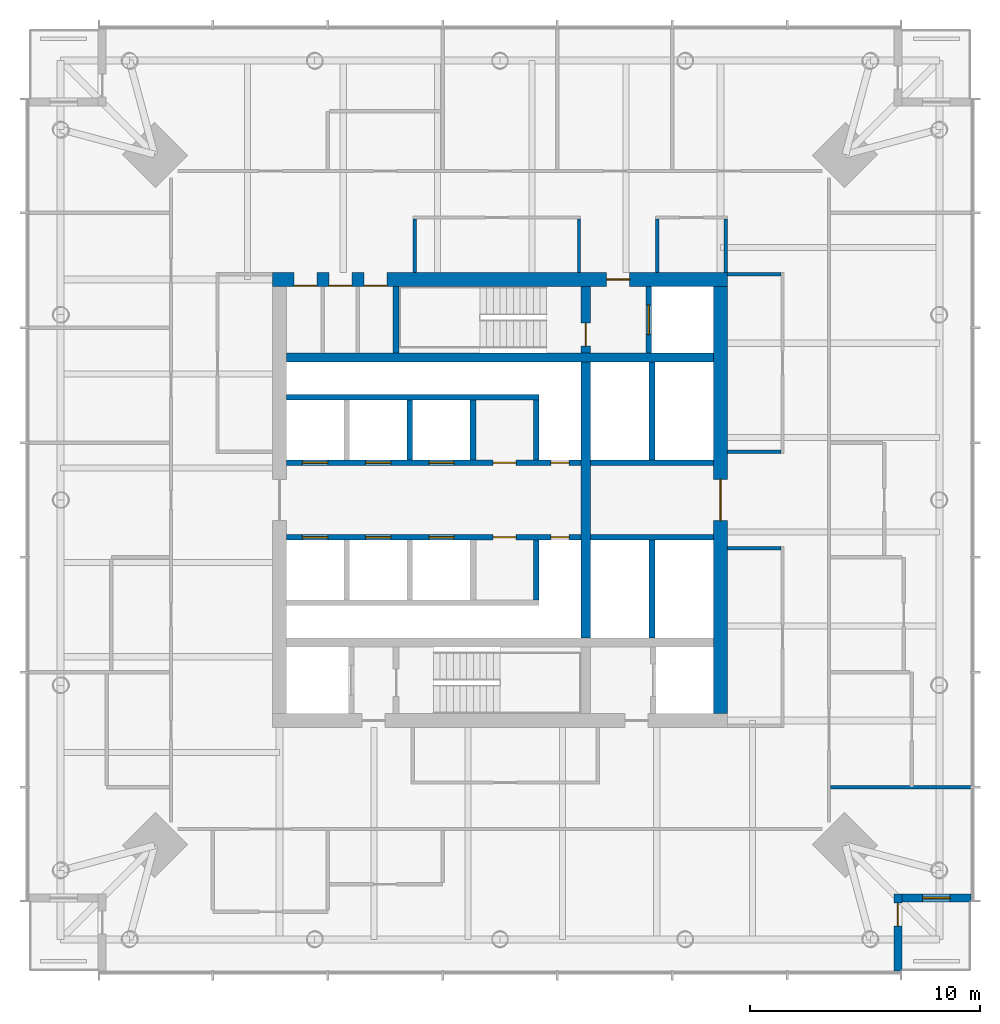
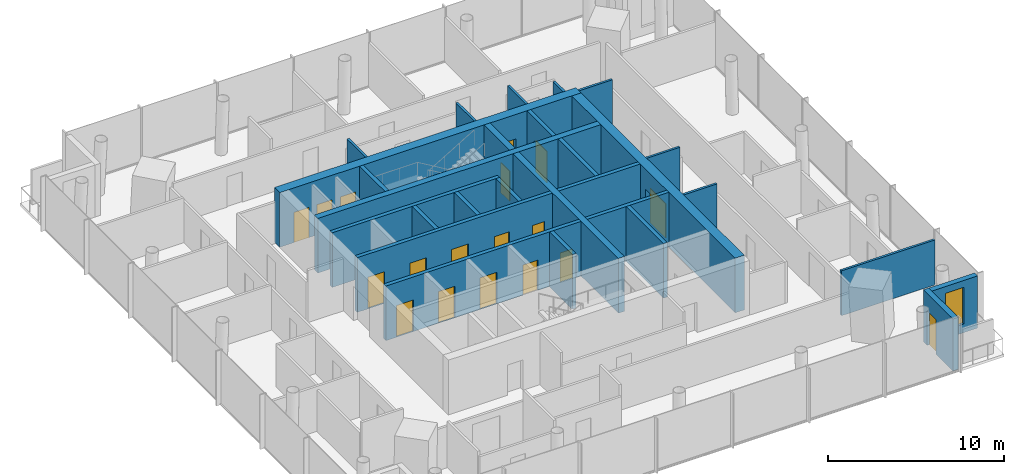
# One storey, part 5 of 8: 28 walls, 18 doors, 1 window, 19 openings.
"""IFC4 building model written with IfcOpenShell, lengths in metres."""

import ifcopenshell
import ifcopenshell.guid

model = None  # the IFC model being written
_history = None  # IfcOwnerHistory: only IFC2X3 demands one
_inside = {}  # id of a spatial element -> (the spatial element, [elements in it])
_under = {}  # id of a project, library or spatial element -> (it, [spatial elements below it])
_declared = {}  # id of a project -> (the project, [libraries it declares])
_typed = {}  # id of a type object -> (the type object, [elements of that type])
_made_of = {}  # id of a material, layer set ... -> (it, [elements and type objects made of it])


def new_model(schema):
    """Start an empty IFC model of exactly this schema.

    Asked for "IFC4X3", IfcOpenShell would pick the latest addendum, in which some entities
    have other attributes; the version numbers below select the first issue.
    IFC2X3 requires an IfcOwnerHistory on every rooted entity: one is made here for all.
    """
    global model, _history
    if schema == "IFC4X3":
        model = ifcopenshell.file(schema_version=(4, 3, 0, 0))
    else:
        model = ifcopenshell.file(schema=schema)
    _inside.clear()
    _under.clear()
    _declared.clear()
    _typed.clear()
    _made_of.clear()
    _history = None
    if model.schema == "IFC2X3":
        org = make("IfcOrganization", Name="unknown")
        user = make(
            "IfcPersonAndOrganization",
            ThePerson=make("IfcPerson", FamilyName="unknown"),
            TheOrganization=org,
        )
        app = make(
            "IfcApplication",
            ApplicationDeveloper=org,
            Version="unknown",
            ApplicationFullName="unknown",
            ApplicationIdentifier="unknown",
        )
        _history = make(
            "IfcOwnerHistory",
            OwningUser=user,
            OwningApplication=app,
            ChangeAction="ADDED",
            CreationDate=0,
        )
    return model


def make(cls, **values):
    """One entity of the class cls with the attributes given. An attribute that is None is left unset."""
    return model.create_entity(
        cls, **{name: value for name, value in values.items() if value is not None}
    )


def rooted(cls, **values):
    """An entity with a GlobalId (a new one), such as an element, a storey or a relation."""
    return make(cls, GlobalId=ifcopenshell.guid.new(), OwnerHistory=_history, **values)


def si_unit(unit_type, name, prefix=None):
    """IfcSIUnit, for example si_unit("LENGTHUNIT", "METRE", prefix="MILLI")."""
    return make("IfcSIUnit", UnitType=unit_type, Prefix=prefix, Name=name)


def assignment(units):
    """IfcUnitAssignment: the units of a project."""
    return None if units is None else make("IfcUnitAssignment", Units=units)


def point(xyz):
    """IfcCartesianPoint."""
    return None if xyz is None else make("IfcCartesianPoint", Coordinates=xyz)


def direction(xyz):
    """IfcDirection."""
    return None if xyz is None else make("IfcDirection", DirectionRatios=xyz)


def frame(location, z_axis=None, x_axis=None):
    """IfcAxis2Placement3D, a coordinate frame: its origin and axes. An axis left out is left unset."""
    return make(
        "IfcAxis2Placement3D",
        Location=point(location),
        Axis=direction(z_axis),
        RefDirection=direction(x_axis),
    )


def frame_2d(location, x_axis=None):
    """IfcAxis2Placement2D, a coordinate frame in the plane: its origin and x axis."""
    return make(
        "IfcAxis2Placement2D", Location=point(location), RefDirection=direction(x_axis)
    )


def origin():
    """The frame at (0, 0, 0) with its axes left unset."""
    return frame((0.0, 0.0, 0.0))


def place(relative_to, where):
    """IfcLocalPlacement: puts the frame where relative to a parent placement (None: the world)."""
    return make(
        "IfcLocalPlacement", PlacementRelTo=relative_to, RelativePlacement=where
    )


def context(
    kind, dimensions, precision=None, world=None, true_north=None, identifier=None
):
    """IfcGeometricRepresentationContext, for example the 3D "Model" context."""
    return make(
        "IfcGeometricRepresentationContext",
        ContextIdentifier=identifier,
        ContextType=kind,
        CoordinateSpaceDimension=dimensions,
        Precision=precision,
        WorldCoordinateSystem=world,
        TrueNorth=true_north,
    )


def subcontext(parent, identifier, kind, view, scale=None):
    """IfcGeometricRepresentationSubContext, for example "Body" below "Model"."""
    return make(
        "IfcGeometricRepresentationSubContext",
        ContextIdentifier=identifier,
        ContextType=kind,
        ParentContext=parent,
        TargetScale=scale,
        TargetView=view,
    )


def project(units=None, contexts=None):
    """IfcProject with its units and contexts."""
    return rooted(
        "IfcProject",
        Name="project",
        RepresentationContexts=contexts,
        UnitsInContext=assignment(units),
    )


def spatial(cls, under=None, at=None, **own):
    """A site, building, storey or space (cls), placed at a placement, below another one or the project."""
    s = rooted(cls, ObjectPlacement=at, **own)
    if under is not None:
        _under.setdefault(under.id(), (under, []))[1].append(s)
    return s


def profile(cls, at=None, kind="AREA", **sizes):
    """A parametric profile (cls). Its sizes go by their IFC names, for example OverallWidth=200.0."""
    return make(cls, ProfileType=kind, Position=at, **sizes)


def rectangle(**sizes):
    """IfcRectangleProfileDef."""
    return profile("IfcRectangleProfileDef", **sizes)


def extrude(swept, where, along, depth):
    """IfcExtrudedAreaSolid: the profile swept, set in the frame where, extruded along a direction by depth."""
    return make(
        "IfcExtrudedAreaSolid",
        SweptArea=swept,
        Position=where,
        ExtrudedDirection=direction(along),
        Depth=depth,
    )


def shape(context_of_items, identifier, shape_type, items):
    """IfcShapeRepresentation: the items that make up one representation, for example the "Body"."""
    return make(
        "IfcShapeRepresentation",
        ContextOfItems=context_of_items,
        RepresentationIdentifier=identifier,
        RepresentationType=shape_type,
        Items=items,
    )


def material(Name=None, Category=None):
    """IfcMaterial."""
    return make("IfcMaterial", Name=Name, Category=Category)


def layer(
    of_material, thickness, ventilated=None, Name=None, Category=None, Priority=None
):
    """IfcMaterialLayer: one layer of a wall or slab, of a material (None: an air gap)."""
    return make(
        "IfcMaterialLayer",
        Material=of_material,
        LayerThickness=thickness,
        IsVentilated=ventilated,
        Name=Name,
        Category=Category,
        Priority=Priority,
    )


def layer_set(layers, Name=None):
    """IfcMaterialLayerSet."""
    return make("IfcMaterialLayerSet", MaterialLayers=layers, LayerSetName=Name)


def made_of(thing, what):
    """Note that an element or type object is made of a material, layer set ...; save() writes the relation."""
    if what is not None:
        _made_of.setdefault(what.id(), (what, []))[1].append(thing)
    return thing


def type_object(cls, material=None, **own):
    """A type object (cls), such as IfcWallType, which elements share."""
    return made_of(rooted(cls, **own), material)


def element(
    cls,
    number,
    at=None,
    inside=None,
    cuts=None,
    type_object=None,
    material=None,
    context=None,
    identifier="Body",
    shape_type=None,
    held_by="IfcProductDefinitionShape",
    body=None,
    shapes=None,
    **own,
):
    """One element of the class cls, such as IfcWall. Its Tag is "e" and its number.

    at: its placement. inside: the storey or other place that contains it. cuts: it is an
    opening in that element (IfcRelVoidsElement). A single representation is given by context,
    identifier, shape_type and body (its items); several are given by shapes. held_by: the class
    of the entity that holds the representations. save() writes the other relations.
    """
    e = rooted(cls, Tag="e%d" % number, ObjectPlacement=at, **own)
    if body is not None:
        shapes = [shape(context, identifier, shape_type, body)]
    if shapes is not None:
        e.Representation = make(held_by, Representations=shapes)
    if inside is not None:
        _inside.setdefault(inside.id(), (inside, []))[1].append(e)
    if cuts is not None:
        rooted(
            "IfcRelVoidsElement", RelatingBuildingElement=cuts, RelatedOpeningElement=e
        )
    if type_object is not None:
        _typed.setdefault(type_object.id(), (type_object, []))[1].append(e)
    return made_of(e, material)


def fill(opening, filler):
    """IfcRelFillsElement: the door or window that sits in an opening."""
    return rooted(
        "IfcRelFillsElement",
        RelatingOpeningElement=opening,
        RelatedBuildingElement=filler,
    )


def aggregate(whole, parts):
    """IfcRelAggregates: a whole, such as a stair, and the parts it consists of."""
    return rooted("IfcRelAggregates", RelatingObject=whole, RelatedObjects=parts)


def save(model, path):
    """Write the relations noted so far, then the file.

    IfcRelAggregates (storeys below a building ...), IfcRelContainedInSpatialStructure (elements
    in a storey), IfcRelDefinesByType, IfcRelAssociatesMaterial and IfcRelDeclares: one each for
    every whole, place, type object, material and project.
    """
    for whole, parts in _under.values():
        aggregate(whole, parts)
    for where, things in _inside.values():
        rooted(
            "IfcRelContainedInSpatialStructure",
            RelatedElements=things,
            RelatingStructure=where,
        )
    for kind, things in _typed.values():
        rooted("IfcRelDefinesByType", RelatedObjects=things, RelatingType=kind)
    for what, things in _made_of.values():
        rooted("IfcRelAssociatesMaterial", RelatedObjects=things, RelatingMaterial=what)
    for by, libraries in _declared.values():
        rooted("IfcRelDeclares", RelatingContext=by, RelatedDefinitions=libraries)
    model.write(path)


model = new_model("IFC4")

# Units and contexts
model_context = context("Model", 3, precision=1e-05, world=origin(), true_north=direction((0.0, 1.0)))
body_context = subcontext(model_context, "Body", "Model", "MODEL_VIEW")
ifc_project = project(units=[si_unit("LENGTHUNIT", "METRE"), si_unit("AREAUNIT", "SQUARE_METRE"), si_unit("VOLUMEUNIT", "CUBIC_METRE"), si_unit("PLANEANGLEUNIT", "RADIAN"), si_unit("MASSUNIT", "GRAM", prefix="KILO")], contexts=[model_context])

# Site, building, storey
site_placement = place(None, origin())
site = spatial("IfcSite", under=ifc_project, at=site_placement, CompositionType="ELEMENT")
building_placement = place(site_placement, origin())
building = spatial("IfcBuilding", under=site, at=building_placement, Name="Ostroluk Exchange", CompositionType="ELEMENT")
storey_placement = place(building_placement, frame((0.0, 0.0, 173.0)))
storey = spatial("IfcBuildingStorey", under=building, at=storey_placement, Name="L44", CompositionType="ELEMENT", Elevation=173.0)

# Walls
ifc_material_1 = material(Name="Concrete C50/60", Category="concrete")
ifc_layer_1 = layer(ifc_material_1, 0.39990234375)
ifc_layer_set_1 = layer_set([ifc_layer_1], Name="Core cross wall 400 C50/60")
wall_type_1 = type_object("IfcWallType", Name="Core cross wall 400 C50/60", PredefinedType="SHEAR", material=ifc_layer_set_1)
wall_1_placement = place(storey_placement, frame((35.699951171875, 52.199951171875, 0.0), z_axis=(0.0, 0.0, 1.0), x_axis=(1.0, 0.0, 0.0)))
element("IfcWall", 1, at=wall_1_placement, inside=storey, type_object=wall_type_1, Name="T1 core wall XN", PredefinedType="SHEAR", context=body_context, shape_type="SweptSolid", body=[
    extrude(rectangle(XDim=18.60009765625, YDim=0.39990234375, at=frame_2d((9.300048828125, 0.0))), origin(), (0.0, 0.0, 1.0), 3.800048828125),
])
wall_2_placement = place(storey_placement, frame((48.72998046875, 40.0, 0.0), z_axis=(0.0, 0.0, 1.0), x_axis=(0.0, 1.0, 0.0)))
element("IfcWall", 2, at=wall_2_placement, inside=storey, type_object=wall_type_1, Name="T1 core wall YE2", PredefinedType="SHEAR", context=body_context, shape_type="SweptSolid", body=[
    extrude(rectangle(XDim=12.0, YDim=0.39990234375, at=frame_2d((6.0, 0.0))), origin(), (0.0, 0.0, 1.0), 3.800048828125),
])

# Wall, opening, door
wall_3_placement = place(storey_placement, frame((48.72998046875, 52.39990234375, 0.0), z_axis=(0.0, 0.0, 1.0), x_axis=(0.0, 1.0, 0.0)))
wall_3 = element("IfcWall", 3, at=wall_3_placement, inside=storey, type_object=wall_type_1, Name="T1 core wall YE3", PredefinedType="SHEAR", context=body_context, shape_type="SweptSolid", body=[
    extrude(rectangle(XDim=2.900146484375, YDim=0.39990234375, at=frame_2d((1.4501953125, 0.0))), origin(), (0.0, 0.0, 1.0), 3.800048828125),
])
opening_1_placement = place(wall_3_placement, frame((0.300048828125, 0.0, 0.0)))
opening_1 = element("IfcOpeningElement", 4, at=opening_1_placement, cuts=wall_3, Name="Opening FD60", PredefinedType="OPENING", context=body_context, shape_type="SweptSolid", body=[
    extrude(rectangle(XDim=1.0, YDim=2.10009765625, at=frame_2d((0.5, 1.050048828125))), frame((0.0, 0.2099609375, 0.0), z_axis=(0.0, -1.0, 0.0), x_axis=(1.0, 0.0, 0.0)), (0.0, 0.0, 1.0), 0.419921875),
])
ifc_material_2 = material(Name="Steel", Category="steel")
door_type_1 = type_object("IfcDoorType", Name="Fire door EI 60 1000 x 2100", OperationType="SINGLE_SWING_LEFT", PredefinedType="DOOR", material=ifc_material_2)
door_1_placement = place(opening_1_placement, origin())
door_1 = element("IfcDoor", 5, at=door_1_placement, inside=storey, type_object=door_type_1, Name="Stair T1-S2 door", OperationType="SINGLE_SWING_LEFT", OverallHeight=2.10009765625, OverallWidth=1.0, PredefinedType="DOOR", context=body_context, shape_type="SweptSolid", body=[
    extrude(rectangle(XDim=1.0, YDim=2.10009765625, at=frame_2d((0.5, 1.050048828125))), frame((0.0, 0.02490234375, 0.0), z_axis=(0.0, -1.0, 0.0), x_axis=(1.0, 0.0, 0.0)), (0.0, 0.0, 1.0), 0.050048828125),
])
fill(opening_1, door_1)

# Wall
ifc_material_3 = material(Name="Concrete C40/50", Category="concrete")
ifc_layer_2 = layer(ifc_material_3, 0.25)
ifc_layer_set_2 = layer_set([ifc_layer_2], Name="Core shaft wall 250")
wall_type_2 = type_object("IfcWallType", Name="Core shaft wall 250", PredefinedType="SHEAR", material=ifc_layer_set_2)
wall_4_placement = place(storey_placement, frame((40.47509765625, 52.39990234375, 0.0), z_axis=(0.0, 0.0, 1.0), x_axis=(0.0, 1.0, 0.0)))
element("IfcWall", 6, at=wall_4_placement, inside=storey, type_object=wall_type_2, Name="Stair shaft wall", PredefinedType="SHEAR", context=body_context, shape_type="SweptSolid", body=[
    extrude(rectangle(XDim=2.900146484375, YDim=0.25, at=frame_2d((1.4501953125, 0.0))), origin(), (0.0, 0.0, 1.0), 3.800048828125),
])

# Wall, opening, door
wall_5_placement = place(storey_placement, frame((51.47509765625, 52.39990234375, 0.0), z_axis=(0.0, 0.0, 1.0), x_axis=(0.0, 1.0, 0.0)))
wall_5 = element("IfcWall", 7, at=wall_5_placement, inside=storey, type_object=wall_type_2, Name="Firefighting lift shaft wall", PredefinedType="SHEAR", context=body_context, shape_type="SweptSolid", body=[
    extrude(rectangle(XDim=2.900146484375, YDim=0.25, at=frame_2d((1.4501953125, 0.0))), origin(), (0.0, 0.0, 1.0), 3.800048828125),
])
opening_2_placement = place(wall_5_placement, frame((0.800048828125, 0.0, 0.0)))
opening_2 = element("IfcOpeningElement", 8, at=opening_2_placement, cuts=wall_5, Name="Opening LD2", PredefinedType="OPENING", context=body_context, shape_type="SweptSolid", body=[
    extrude(rectangle(XDim=1.300048828125, YDim=2.199951171875, at=frame_2d((0.64990234375, 1.10009765625))), frame((0.0, 0.135009765625, 0.0), z_axis=(0.0, -1.0, 0.0), x_axis=(1.0, 0.0, 0.0)), (0.0, 0.0, 1.0), 0.27001953125),
])
ifc_material_4 = material(Name="Stainless steel", Category="steel")
door_type_2 = type_object("IfcDoorType", Name="Lift landing door E 60 1300 x 2200", OperationType="DOUBLE_DOOR_SLIDING", PredefinedType="DOOR", material=ifc_material_4)
door_2_placement = place(opening_2_placement, origin())
door_2 = element("IfcDoor", 9, at=door_2_placement, inside=storey, type_object=door_type_2, Name="Lift FL2 landing door", OperationType="DOUBLE_DOOR_SLIDING", OverallHeight=2.199951171875, OverallWidth=1.300048828125, PredefinedType="DOOR", context=body_context, shape_type="SweptSolid", body=[
    extrude(rectangle(XDim=1.300048828125, YDim=2.199951171875, at=frame_2d((0.64990234375, 1.10009765625))), frame((0.0, 0.02490234375, 0.0), z_axis=(0.0, -1.0, 0.0), x_axis=(1.0, 0.0, 0.0)), (0.0, 0.0, 1.0), 0.050048828125),
])
fill(opening_2, door_2)

# Walls
for number, where, z_axis, x_axis, name in (
    (10, (41.074951171875, 47.75, 0.0), (0.0, 0.0, 1.0), (0.0, 1.0, 0.0), "Lift shaft wall"),
    (11, (43.824951171875, 47.75, 0.0), (0.0, 0.0, 1.0), (0.0, 1.0, 0.0), "Lift shaft wall"),
    (12, (46.574951171875, 47.75, 0.0), (0.0, 0.0, 1.0), (0.0, 1.0, 0.0), "Lift shaft wall"),
):
    element("IfcWall", number, at=place(storey_placement, frame(where, z_axis=z_axis, x_axis=x_axis)), inside=storey, type_object=wall_type_2, Name=name, PredefinedType="SHEAR", context=body_context, shape_type="SweptSolid", body=[
        extrude(rectangle(XDim=2.60009765625, YDim=0.25, at=frame_2d((1.300048828125, 0.0))), origin(), (0.0, 0.0, 1.0), 3.800048828125),
    ])
wall_6_placement = place(storey_placement, frame((35.699951171875, 50.47509765625, 0.0), z_axis=(0.0, 0.0, 1.0), x_axis=(1.0, 0.0, 0.0)))
element("IfcWall", 13, at=wall_6_placement, inside=storey, type_object=wall_type_2, Name="Lift shaft wall", PredefinedType="SHEAR", context=body_context, shape_type="SweptSolid", body=[
    extrude(rectangle(XDim=11.0, YDim=0.25, at=frame_2d((5.5, 0.0))), origin(), (0.0, 0.0, 1.0), 3.800048828125),
])

# Wall, openings, doors
wall_7_placement = place(storey_placement, frame((35.699951171875, 47.625, 0.0), z_axis=(0.0, 0.0, 1.0), x_axis=(1.0, 0.0, 0.0)))
wall_7 = element("IfcWall", 14, at=wall_7_placement, inside=storey, type_object=wall_type_2, Name="Lift shaft front wall", PredefinedType="SHEAR", context=body_context, shape_type="SweptSolid", body=[
    extrude(rectangle(XDim=12.830078125, YDim=0.25, at=frame_2d((6.4150390625, 0.0))), origin(), (0.0, 0.0, 1.0), 3.800048828125),
])
opening_3_placement = place(wall_7_placement, frame((0.699951171875, 0.0, 0.0)))
opening_3 = element("IfcOpeningElement", 15, at=opening_3_placement, cuts=wall_7, Name="Opening LD", PredefinedType="OPENING", context=body_context, shape_type="SweptSolid", body=[
    extrude(rectangle(XDim=1.10009765625, YDim=2.199951171875, at=frame_2d((0.550048828125, 1.10009765625))), frame((0.0, 0.135009765625, 0.0), z_axis=(0.0, -1.0, 0.0), x_axis=(1.0, 0.0, 0.0)), (0.0, 0.0, 1.0), 0.27001953125),
])
opening_4_placement = place(wall_7_placement, frame((3.449951171875, 0.0, 0.0)))
opening_4 = element("IfcOpeningElement", 16, at=opening_4_placement, cuts=wall_7, Name="Opening LD", PredefinedType="OPENING", context=body_context, shape_type="SweptSolid", body=[
    extrude(rectangle(XDim=1.10009765625, YDim=2.199951171875, at=frame_2d((0.550048828125, 1.10009765625))), frame((0.0, 0.135009765625, 0.0), z_axis=(0.0, -1.0, 0.0), x_axis=(1.0, 0.0, 0.0)), (0.0, 0.0, 1.0), 0.27001953125),
])
opening_5_placement = place(wall_7_placement, frame((6.199951171875, 0.0, 0.0)))
opening_5 = element("IfcOpeningElement", 17, at=opening_5_placement, cuts=wall_7, Name="Opening LD", PredefinedType="OPENING", context=body_context, shape_type="SweptSolid", body=[
    extrude(rectangle(XDim=1.10009765625, YDim=2.199951171875, at=frame_2d((0.550048828125, 1.10009765625))), frame((0.0, 0.135009765625, 0.0), z_axis=(0.0, -1.0, 0.0), x_axis=(1.0, 0.0, 0.0)), (0.0, 0.0, 1.0), 0.27001953125),
])
opening_6_placement = place(wall_7_placement, frame((9.0, 0.0, 0.0)))
opening_6 = element("IfcOpeningElement", 18, at=opening_6_placement, cuts=wall_7, Name="Opening FD60", PredefinedType="OPENING", context=body_context, shape_type="SweptSolid", body=[
    extrude(rectangle(XDim=1.0, YDim=2.10009765625, at=frame_2d((0.5, 1.050048828125))), frame((0.0, 0.135009765625, 0.0), z_axis=(0.0, -1.0, 0.0), x_axis=(1.0, 0.0, 0.0)), (0.0, 0.0, 1.0), 0.27001953125),
])
opening_7_placement = place(wall_7_placement, frame((11.514892578125, 0.0, 0.0)))
opening_7 = element("IfcOpeningElement", 19, at=opening_7_placement, cuts=wall_7, Name="Opening RD60", PredefinedType="OPENING", context=body_context, shape_type="SweptSolid", body=[
    extrude(rectangle(XDim=0.800048828125, YDim=2.0, at=frame_2d((0.39990234375, 1.0))), frame((0.0, 0.135009765625, 0.0), z_axis=(0.0, -1.0, 0.0), x_axis=(1.0, 0.0, 0.0)), (0.0, 0.0, 1.0), 0.27001953125),
])
door_3_placement = place(opening_6_placement, origin())
door_3 = element("IfcDoor", 20, at=door_3_placement, inside=storey, type_object=door_type_1, Name="Core room door", OperationType="SINGLE_SWING_RIGHT", OverallHeight=2.10009765625, OverallWidth=1.0, PredefinedType="DOOR", context=body_context, shape_type="SweptSolid", body=[
    extrude(rectangle(XDim=1.0, YDim=2.10009765625, at=frame_2d((0.5, 1.050048828125))), frame((0.0, 0.02490234375, 0.0), z_axis=(0.0, -1.0, 0.0), x_axis=(1.0, 0.0, 0.0)), (0.0, 0.0, 1.0), 0.050048828125),
])
fill(opening_6, door_3)
ifc_material_5 = material(Name="Stainless steel", Category="steel")
door_type_3 = type_object("IfcDoorType", Name="Lift landing door E 60 1100 x 2200", OperationType="DOUBLE_DOOR_SLIDING", PredefinedType="DOOR", material=ifc_material_5)
door_4_placement = place(opening_3_placement, origin())
door_4 = element("IfcDoor", 21, at=door_4_placement, inside=storey, type_object=door_type_3, Name="Lift PL-H1 landing door", OperationType="DOUBLE_DOOR_SLIDING", OverallHeight=2.199951171875, OverallWidth=1.10009765625, PredefinedType="DOOR", context=body_context, shape_type="SweptSolid", body=[
    extrude(rectangle(XDim=1.10009765625, YDim=2.199951171875, at=frame_2d((0.550048828125, 1.10009765625))), frame((0.0, 0.02490234375, 0.0), z_axis=(0.0, -1.0, 0.0), x_axis=(1.0, 0.0, 0.0)), (0.0, 0.0, 1.0), 0.050048828125),
])
fill(opening_3, door_4)
door_5_placement = place(opening_4_placement, origin())
door_5 = element("IfcDoor", 22, at=door_5_placement, inside=storey, type_object=door_type_3, Name="Lift PL-H2 landing door", OperationType="DOUBLE_DOOR_SLIDING", OverallHeight=2.199951171875, OverallWidth=1.10009765625, PredefinedType="DOOR", context=body_context, shape_type="SweptSolid", body=[
    extrude(rectangle(XDim=1.10009765625, YDim=2.199951171875, at=frame_2d((0.550048828125, 1.10009765625))), frame((0.0, 0.02490234375, 0.0), z_axis=(0.0, -1.0, 0.0), x_axis=(1.0, 0.0, 0.0)), (0.0, 0.0, 1.0), 0.050048828125),
])
fill(opening_4, door_5)
door_6_placement = place(opening_5_placement, origin())
door_6 = element("IfcDoor", 23, at=door_6_placement, inside=storey, type_object=door_type_3, Name="Lift PL-H3 landing door", OperationType="DOUBLE_DOOR_SLIDING", OverallHeight=2.199951171875, OverallWidth=1.10009765625, PredefinedType="DOOR", context=body_context, shape_type="SweptSolid", body=[
    extrude(rectangle(XDim=1.10009765625, YDim=2.199951171875, at=frame_2d((0.550048828125, 1.10009765625))), frame((0.0, 0.02490234375, 0.0), z_axis=(0.0, -1.0, 0.0), x_axis=(1.0, 0.0, 0.0)), (0.0, 0.0, 1.0), 0.050048828125),
])
fill(opening_5, door_6)
ifc_material_6 = material(Name="Steel", Category="steel")
door_type_4 = type_object("IfcDoorType", Name="Riser access door EI 60 800 x 2000", OperationType="SINGLE_SWING_LEFT", PredefinedType="DOOR", material=ifc_material_6)
door_7_placement = place(opening_7_placement, origin())
door_7 = element("IfcDoor", 24, at=door_7_placement, inside=storey, type_object=door_type_4, Name="Riser access door", OperationType="SINGLE_SWING_RIGHT", OverallHeight=2.0, OverallWidth=0.800048828125, PredefinedType="DOOR", context=body_context, shape_type="SweptSolid", body=[
    extrude(rectangle(XDim=0.800048828125, YDim=2.0, at=frame_2d((0.39990234375, 1.0))), frame((0.0, 0.02490234375, 0.0), z_axis=(0.0, -1.0, 0.0), x_axis=(1.0, 0.0, 0.0)), (0.0, 0.0, 1.0), 0.050048828125),
])
fill(opening_7, door_7)

# Wall
wall_8_placement = place(storey_placement, frame((46.574951171875, 44.25, 0.0), z_axis=(0.0, 0.0, 1.0), x_axis=(0.0, -1.0, 0.0)))
element("IfcWall", 25, at=wall_8_placement, inside=storey, type_object=wall_type_2, Name="Lift shaft wall", PredefinedType="SHEAR", context=body_context, shape_type="SweptSolid", body=[
    extrude(rectangle(XDim=2.60009765625, YDim=0.25, at=frame_2d((1.300048828125, 0.0))), origin(), (0.0, 0.0, 1.0), 3.800048828125),
])

# Wall, openings, doors
wall_9_placement = place(storey_placement, frame((35.699951171875, 44.375, 0.0), z_axis=(0.0, 0.0, 1.0), x_axis=(1.0, 0.0, 0.0)))
wall_9 = element("IfcWall", 26, at=wall_9_placement, inside=storey, type_object=wall_type_2, Name="Lift shaft front wall", PredefinedType="SHEAR", context=body_context, shape_type="SweptSolid", body=[
    extrude(rectangle(XDim=12.830078125, YDim=0.25, at=frame_2d((6.4150390625, 0.0))), origin(), (0.0, 0.0, 1.0), 3.800048828125),
])
opening_8_placement = place(wall_9_placement, frame((0.699951171875, 0.0, 0.0)))
opening_8 = element("IfcOpeningElement", 27, at=opening_8_placement, cuts=wall_9, Name="Opening LD", PredefinedType="OPENING", context=body_context, shape_type="SweptSolid", body=[
    extrude(rectangle(XDim=1.10009765625, YDim=2.199951171875, at=frame_2d((0.550048828125, 1.10009765625))), frame((0.0, 0.135009765625, 0.0), z_axis=(0.0, -1.0, 0.0), x_axis=(1.0, 0.0, 0.0)), (0.0, 0.0, 1.0), 0.27001953125),
])
opening_9_placement = place(wall_9_placement, frame((3.449951171875, 0.0, 0.0)))
opening_9 = element("IfcOpeningElement", 28, at=opening_9_placement, cuts=wall_9, Name="Opening LD", PredefinedType="OPENING", context=body_context, shape_type="SweptSolid", body=[
    extrude(rectangle(XDim=1.10009765625, YDim=2.199951171875, at=frame_2d((0.550048828125, 1.10009765625))), frame((0.0, 0.135009765625, 0.0), z_axis=(0.0, -1.0, 0.0), x_axis=(1.0, 0.0, 0.0)), (0.0, 0.0, 1.0), 0.27001953125),
])
opening_10_placement = place(wall_9_placement, frame((6.199951171875, 0.0, 0.0)))
opening_10 = element("IfcOpeningElement", 29, at=opening_10_placement, cuts=wall_9, Name="Opening LD", PredefinedType="OPENING", context=body_context, shape_type="SweptSolid", body=[
    extrude(rectangle(XDim=1.10009765625, YDim=2.199951171875, at=frame_2d((0.550048828125, 1.10009765625))), frame((0.0, 0.135009765625, 0.0), z_axis=(0.0, -1.0, 0.0), x_axis=(1.0, 0.0, 0.0)), (0.0, 0.0, 1.0), 0.27001953125),
])
opening_11_placement = place(wall_9_placement, frame((9.0, 0.0, 0.0)))
opening_11 = element("IfcOpeningElement", 30, at=opening_11_placement, cuts=wall_9, Name="Opening FD60", PredefinedType="OPENING", context=body_context, shape_type="SweptSolid", body=[
    extrude(rectangle(XDim=1.0, YDim=2.10009765625, at=frame_2d((0.5, 1.050048828125))), frame((0.0, 0.135009765625, 0.0), z_axis=(0.0, -1.0, 0.0), x_axis=(1.0, 0.0, 0.0)), (0.0, 0.0, 1.0), 0.27001953125),
])
opening_12_placement = place(wall_9_placement, frame((11.514892578125, 0.0, 0.0)))
opening_12 = element("IfcOpeningElement", 31, at=opening_12_placement, cuts=wall_9, Name="Opening RD60", PredefinedType="OPENING", context=body_context, shape_type="SweptSolid", body=[
    extrude(rectangle(XDim=0.800048828125, YDim=2.0, at=frame_2d((0.39990234375, 1.0))), frame((0.0, 0.135009765625, 0.0), z_axis=(0.0, -1.0, 0.0), x_axis=(1.0, 0.0, 0.0)), (0.0, 0.0, 1.0), 0.27001953125),
])
door_8_placement = place(opening_11_placement, origin())
door_8 = element("IfcDoor", 32, at=door_8_placement, inside=storey, type_object=door_type_1, Name="Core room door", OperationType="SINGLE_SWING_RIGHT", OverallHeight=2.10009765625, OverallWidth=1.0, PredefinedType="DOOR", context=body_context, shape_type="SweptSolid", body=[
    extrude(rectangle(XDim=1.0, YDim=2.10009765625, at=frame_2d((0.5, 1.050048828125))), frame((0.0, 0.02490234375, 0.0), z_axis=(0.0, -1.0, 0.0), x_axis=(1.0, 0.0, 0.0)), (0.0, 0.0, 1.0), 0.050048828125),
])
fill(opening_11, door_8)
door_9_placement = place(opening_8_placement, origin())
door_9 = element("IfcDoor", 33, at=door_9_placement, inside=storey, type_object=door_type_3, Name="Lift PL-H4 landing door", OperationType="DOUBLE_DOOR_SLIDING", OverallHeight=2.199951171875, OverallWidth=1.10009765625, PredefinedType="DOOR", context=body_context, shape_type="SweptSolid", body=[
    extrude(rectangle(XDim=1.10009765625, YDim=2.199951171875, at=frame_2d((0.550048828125, 1.10009765625))), frame((0.0, 0.02490234375, 0.0), z_axis=(0.0, -1.0, 0.0), x_axis=(1.0, 0.0, 0.0)), (0.0, 0.0, 1.0), 0.050048828125),
])
fill(opening_8, door_9)
door_10_placement = place(opening_9_placement, origin())
door_10 = element("IfcDoor", 34, at=door_10_placement, inside=storey, type_object=door_type_3, Name="Lift PL-H5 landing door", OperationType="DOUBLE_DOOR_SLIDING", OverallHeight=2.199951171875, OverallWidth=1.10009765625, PredefinedType="DOOR", context=body_context, shape_type="SweptSolid", body=[
    extrude(rectangle(XDim=1.10009765625, YDim=2.199951171875, at=frame_2d((0.550048828125, 1.10009765625))), frame((0.0, 0.02490234375, 0.0), z_axis=(0.0, -1.0, 0.0), x_axis=(1.0, 0.0, 0.0)), (0.0, 0.0, 1.0), 0.050048828125),
])
fill(opening_9, door_10)
door_11_placement = place(opening_10_placement, origin())
door_11 = element("IfcDoor", 35, at=door_11_placement, inside=storey, type_object=door_type_3, Name="Lift PL-H6 landing door", OperationType="DOUBLE_DOOR_SLIDING", OverallHeight=2.199951171875, OverallWidth=1.10009765625, PredefinedType="DOOR", context=body_context, shape_type="SweptSolid", body=[
    extrude(rectangle(XDim=1.10009765625, YDim=2.199951171875, at=frame_2d((0.550048828125, 1.10009765625))), frame((0.0, 0.02490234375, 0.0), z_axis=(0.0, -1.0, 0.0), x_axis=(1.0, 0.0, 0.0)), (0.0, 0.0, 1.0), 0.050048828125),
])
fill(opening_10, door_11)
door_12_placement = place(opening_12_placement, origin())
door_12 = element("IfcDoor", 36, at=door_12_placement, inside=storey, type_object=door_type_4, Name="Riser access door", OperationType="SINGLE_SWING_RIGHT", OverallHeight=2.0, OverallWidth=0.800048828125, PredefinedType="DOOR", context=body_context, shape_type="SweptSolid", body=[
    extrude(rectangle(XDim=0.800048828125, YDim=2.0, at=frame_2d((0.39990234375, 1.0))), frame((0.0, 0.02490234375, 0.0), z_axis=(0.0, -1.0, 0.0), x_axis=(1.0, 0.0, 0.0)), (0.0, 0.0, 1.0), 0.050048828125),
])
fill(opening_12, door_12)

# Walls
wall_10_placement = place(storey_placement, frame((51.614990234375, 47.75, 0.0), z_axis=(0.0, 0.0, 1.0), x_axis=(0.0, 1.0, 0.0)))
element("IfcWall", 37, at=wall_10_placement, inside=storey, type_object=wall_type_2, Name="Lift shaft wall", PredefinedType="SHEAR", context=body_context, shape_type="SweptSolid", body=[
    extrude(rectangle(XDim=4.25, YDim=0.25, at=frame_2d((2.125, 0.0))), origin(), (0.0, 0.0, 1.0), 3.800048828125),
])
wall_11_placement = place(storey_placement, frame((48.929931640625, 47.625, 0.0), z_axis=(0.0, 0.0, 1.0), x_axis=(1.0, 0.0, 0.0)))
element("IfcWall", 38, at=wall_11_placement, inside=storey, type_object=wall_type_2, Name="Lift shaft front wall", PredefinedType="SHEAR", context=body_context, shape_type="SweptSolid", body=[
    extrude(rectangle(XDim=5.3701171875, YDim=0.25, at=frame_2d((2.68505859375, 0.0))), origin(), (0.0, 0.0, 1.0), 3.800048828125),
])
wall_12_placement = place(storey_placement, frame((51.614990234375, 44.25, 0.0), z_axis=(0.0, 0.0, 1.0), x_axis=(0.0, -1.0, 0.0)))
element("IfcWall", 39, at=wall_12_placement, inside=storey, type_object=wall_type_2, Name="Lift shaft wall", PredefinedType="SHEAR", context=body_context, shape_type="SweptSolid", body=[
    extrude(rectangle(XDim=4.25, YDim=0.25, at=frame_2d((2.125, 0.0))), origin(), (0.0, 0.0, 1.0), 3.800048828125),
])
wall_13_placement = place(storey_placement, frame((48.929931640625, 44.375, 0.0), z_axis=(0.0, 0.0, 1.0), x_axis=(1.0, 0.0, 0.0)))
element("IfcWall", 40, at=wall_13_placement, inside=storey, type_object=wall_type_2, Name="Lift shaft front wall", PredefinedType="SHEAR", context=body_context, shape_type="SweptSolid", body=[
    extrude(rectangle(XDim=5.3701171875, YDim=0.25, at=frame_2d((2.68505859375, 0.0))), origin(), (0.0, 0.0, 1.0), 3.800048828125),
])

# Wall, openings, doors
ifc_material_7 = material(Name="Concrete C50/60", Category="concrete")
ifc_layer_3 = layer(ifc_material_7, 0.60009765625)
ifc_layer_set_3 = layer_set([ifc_layer_3], Name="Core wall 600 C50/60")
wall_type_3 = type_object("IfcWallType", Name="Core wall 600 C50/60", PredefinedType="SHEAR", material=ifc_layer_set_3)
wall_14_placement = place(storey_placement, frame((35.10009765625, 55.60009765625, 0.0), z_axis=(0.0, 0.0, 1.0), x_axis=(1.0, 0.0, 0.0)))
wall_14 = element("IfcWall", 41, at=wall_14_placement, inside=storey, type_object=wall_type_3, Name="T1 core wall N", PredefinedType="SHEAR", context=body_context, shape_type="SweptSolid", body=[
    extrude(rectangle(XDim=19.7998046875, YDim=0.60009765625, at=frame_2d((9.89990234375, 0.0))), origin(), (0.0, 0.0, 1.0), 3.800048828125),
])
opening_13_placement = place(wall_14_placement, frame((14.5400390625, 0.0, 0.0)))
opening_13 = element("IfcOpeningElement", 42, at=opening_13_placement, cuts=wall_14, Name="Opening FD60", PredefinedType="OPENING", context=body_context, shape_type="SweptSolid", body=[
    extrude(rectangle(XDim=1.0, YDim=2.10009765625, at=frame_2d((0.5, 1.050048828125))), frame((0.0, 0.31005859375, 0.0), z_axis=(0.0, -1.0, 0.0), x_axis=(1.0, 0.0, 0.0)), (0.0, 0.0, 1.0), 0.6201171875),
])
opening_14_placement = place(wall_14_placement, frame((0.930908203125, 0.0, 0.0)))
opening_14 = element("IfcOpeningElement", 43, at=opening_14_placement, cuts=wall_14, Name="Opening FD60", PredefinedType="OPENING", context=body_context, shape_type="SweptSolid", body=[
    extrude(rectangle(XDim=1.0, YDim=2.10009765625, at=frame_2d((0.5, 1.050048828125))), frame((0.0, 0.31005859375, 0.0), z_axis=(0.0, -1.0, 0.0), x_axis=(1.0, 0.0, 0.0)), (0.0, 0.0, 1.0), 0.6201171875),
])
opening_15_placement = place(wall_14_placement, frame((2.4482421875, 0.0, 0.0)))
opening_15 = element("IfcOpeningElement", 44, at=opening_15_placement, cuts=wall_14, Name="Opening FD60", PredefinedType="OPENING", context=body_context, shape_type="SweptSolid", body=[
    extrude(rectangle(XDim=1.0, YDim=2.10009765625, at=frame_2d((0.5, 1.050048828125))), frame((0.0, 0.31005859375, 0.0), z_axis=(0.0, -1.0, 0.0), x_axis=(1.0, 0.0, 0.0)), (0.0, 0.0, 1.0), 0.6201171875),
])
opening_16_placement = place(wall_14_placement, frame((3.982666015625, 0.0, 0.0)))
opening_16 = element("IfcOpeningElement", 45, at=opening_16_placement, cuts=wall_14, Name="Opening FD60", PredefinedType="OPENING", context=body_context, shape_type="SweptSolid", body=[
    extrude(rectangle(XDim=1.0, YDim=2.10009765625, at=frame_2d((0.5, 1.050048828125))), frame((0.0, 0.31005859375, 0.0), z_axis=(0.0, -1.0, 0.0), x_axis=(1.0, 0.0, 0.0)), (0.0, 0.0, 1.0), 0.6201171875),
])
door_13_placement = place(opening_13_placement, origin())
door_13 = element("IfcDoor", 46, at=door_13_placement, inside=storey, type_object=door_type_1, Name="Firefighting lobby door", OperationType="SINGLE_SWING_RIGHT", OverallHeight=2.10009765625, OverallWidth=1.0, PredefinedType="DOOR", context=body_context, shape_type="SweptSolid", body=[
    extrude(rectangle(XDim=1.0, YDim=2.10009765625, at=frame_2d((0.5, 1.050048828125))), frame((0.0, 0.02490234375, 0.0), z_axis=(0.0, -1.0, 0.0), x_axis=(1.0, 0.0, 0.0)), (0.0, 0.0, 1.0), 0.050048828125),
])
fill(opening_13, door_13)
door_14_placement = place(opening_14_placement, origin())
door_14 = element("IfcDoor", 47, at=door_14_placement, inside=storey, type_object=door_type_1, Name="Cleaner's store door", OperationType="SINGLE_SWING_LEFT", OverallHeight=2.10009765625, OverallWidth=1.0, PredefinedType="DOOR", context=body_context, shape_type="SweptSolid", body=[
    extrude(rectangle(XDim=1.0, YDim=2.10009765625, at=frame_2d((0.5, 1.050048828125))), frame((0.0, -0.23974609375, 0.0), z_axis=(0.0, -1.0, 0.0), x_axis=(1.0, 0.0, 0.0)), (0.0, 0.0, 1.0), 0.050048828125),
])
fill(opening_14, door_14)
door_15_placement = place(opening_15_placement, origin())
door_15 = element("IfcDoor", 48, at=door_15_placement, inside=storey, type_object=door_type_1, Name="Store door", OperationType="SINGLE_SWING_LEFT", OverallHeight=2.10009765625, OverallWidth=1.0, PredefinedType="DOOR", context=body_context, shape_type="SweptSolid", body=[
    extrude(rectangle(XDim=1.0, YDim=2.10009765625, at=frame_2d((0.5, 1.050048828125))), frame((0.0, -0.23974609375, 0.0), z_axis=(0.0, -1.0, 0.0), x_axis=(1.0, 0.0, 0.0)), (0.0, 0.0, 1.0), 0.050048828125),
])
fill(opening_15, door_15)
door_16_placement = place(opening_16_placement, origin())
door_16 = element("IfcDoor", 49, at=door_16_placement, inside=storey, type_object=door_type_1, Name="Comms room door", OperationType="SINGLE_SWING_LEFT", OverallHeight=2.10009765625, OverallWidth=1.0, PredefinedType="DOOR", context=body_context, shape_type="SweptSolid", body=[
    extrude(rectangle(XDim=1.0, YDim=2.10009765625, at=frame_2d((0.5, 1.050048828125))), frame((0.0, -0.23974609375, 0.0), z_axis=(0.0, -1.0, 0.0), x_axis=(1.0, 0.0, 0.0)), (0.0, 0.0, 1.0), 0.050048828125),
])
fill(opening_16, door_16)

# Wall, opening, door
wall_15_placement = place(storey_placement, frame((54.60009765625, 36.699951171875, 0.0), z_axis=(0.0, 0.0, 1.0), x_axis=(0.0, 1.0, 0.0)))
wall_15 = element("IfcWall", 50, at=wall_15_placement, inside=storey, type_object=wall_type_3, Name="T1 core wall E", PredefinedType="SHEAR", context=body_context, shape_type="SweptSolid", body=[
    extrude(rectangle(XDim=18.60009765625, YDim=0.60009765625, at=frame_2d((9.300048828125, 0.0))), origin(), (0.0, 0.0, 1.0), 3.800048828125),
])
opening_17_placement = place(wall_15_placement, frame((8.39990234375, 0.0, 0.0)))
opening_17 = element("IfcOpeningElement", 51, at=opening_17_placement, cuts=wall_15, Name="Opening FD30D", PredefinedType="OPENING", context=body_context, shape_type="SweptSolid", body=[
    extrude(rectangle(XDim=1.800048828125, YDim=2.39990234375, at=frame_2d((0.89990234375, 1.199951171875))), frame((0.0, 0.31005859375, 0.0), z_axis=(0.0, -1.0, 0.0), x_axis=(1.0, 0.0, 0.0)), (0.0, 0.0, 1.0), 0.6201171875),
])
ifc_material_8 = material(Name="Timber", Category="wood")
door_type_5 = type_object("IfcDoorType", Name="Lobby double door EI 30 1800 x 2400", OperationType="DOUBLE_DOOR_SINGLE_SWING", PredefinedType="DOOR", material=ifc_material_8)
door_17_placement = place(opening_17_placement, origin())
door_17 = element("IfcDoor", 52, at=door_17_placement, inside=storey, type_object=door_type_5, Name="Lift lobby doors", OperationType="DOUBLE_DOOR_SINGLE_SWING", OverallHeight=2.39990234375, OverallWidth=1.800048828125, PredefinedType="DOOR", context=body_context, shape_type="SweptSolid", body=[
    extrude(rectangle(XDim=1.800048828125, YDim=2.39990234375, at=frame_2d((0.89990234375, 1.199951171875))), frame((0.0, 0.02490234375, 0.0), z_axis=(0.0, -1.0, 0.0), x_axis=(1.0, 0.0, 0.0)), (0.0, 0.0, 1.0), 0.050048828125),
])
fill(opening_17, door_17)

ifc_material_9 = material(Name="Limestone", Category="masonry")
ifc_layer_4 = layer(ifc_material_9, 0.35009765625)
ifc_layer_set_4 = layer_set([ifc_layer_4], Name="Limestone facade wall 350")
wall_type_4 = type_object("IfcWallType", Name="Limestone facade wall 350", PredefinedType="SOLIDWALL", material=ifc_layer_set_4)
wall_16_placement = place(storey_placement, frame((62.324951171875, 25.5, 0.0), z_axis=(0.0, 0.0, 1.0), x_axis=(0.0, 1.0, 0.0)))
wall_16 = element("IfcWall", 53, at=wall_16_placement, inside=storey, type_object=wall_type_4, Name="Office tower SE corner wall L44 a", PredefinedType="SOLIDWALL", context=body_context, shape_type="SweptSolid", body=[
    extrude(rectangle(XDim=3.35009765625, YDim=0.35009765625, at=frame_2d((1.675048828125, 0.0))), origin(), (0.0, 0.0, 1.0), 3.6201171875),
])
opening_18_placement = place(wall_16_placement, frame((1.949951171875, 0.0, 0.0)))
opening_18 = element("IfcOpeningElement", 54, at=opening_18_placement, cuts=wall_16, Name="Opening D-B1", PredefinedType="OPENING", context=body_context, shape_type="SweptSolid", body=[
    extrude(rectangle(XDim=1.0, YDim=2.39990234375, at=frame_2d((0.5, 1.199951171875))), frame((0.0, 0.18505859375, 0.0), z_axis=(0.0, -1.0, 0.0), x_axis=(1.0, 0.0, 0.0)), (0.0, 0.0, 1.0), 0.3701171875),
])
ifc_material_10 = material(Name="Bronze framed glazed door", Category="aluminium")
door_type_6 = type_object("IfcDoorType", Name="Balcony door 1000 x 2400", OperationType="SINGLE_SWING_LEFT", PredefinedType="DOOR", material=ifc_material_10)
door_18_placement = place(opening_18_placement, origin())
door_18 = element("IfcDoor", 55, at=door_18_placement, inside=storey, type_object=door_type_6, Name="Office tower SE balcony door L44", OperationType="SINGLE_SWING_RIGHT", OverallHeight=2.39990234375, OverallWidth=1.0, PredefinedType="DOOR", context=body_context, shape_type="SweptSolid", body=[
    extrude(rectangle(XDim=1.0, YDim=2.39990234375, at=frame_2d((0.5, 1.199951171875))), frame((0.0, 0.02490234375, 0.0), z_axis=(0.0, -1.0, 0.0), x_axis=(1.0, 0.0, 0.0)), (0.0, 0.0, 1.0), 0.050048828125),
])
fill(opening_18, door_18)

# Wall, opening, window
wall_17_placement = place(storey_placement, frame((62.5, 28.675048828125, 0.0), z_axis=(0.0, 0.0, 1.0), x_axis=(1.0, 0.0, 0.0)))
wall_17 = element("IfcWall", 56, at=wall_17_placement, inside=storey, type_object=wall_type_4, Name="Office tower SE corner wall L44 b", PredefinedType="SOLIDWALL", context=body_context, shape_type="SweptSolid", body=[
    extrude(rectangle(XDim=3.0, YDim=0.35009765625, at=frame_2d((1.5, 0.0))), origin(), (0.0, 0.0, 1.0), 3.6201171875),
])
opening_19_placement = place(wall_17_placement, frame((0.89990234375, 0.0, 0.60009765625)))
opening_19 = element("IfcOpeningElement", 57, at=opening_19_placement, cuts=wall_17, Name="Opening WN-L1", PredefinedType="OPENING", context=body_context, shape_type="SweptSolid", body=[
    extrude(rectangle(XDim=1.199951171875, YDim=2.550048828125, at=frame_2d((0.60009765625, 1.27490234375))), frame((0.0, 0.18505859375, 0.0), z_axis=(0.0, -1.0, 0.0), x_axis=(1.0, 0.0, 0.0)), (0.0, 0.0, 1.0), 0.3701171875),
])
ifc_material_11 = material(Name="Laminated clear glass", Category="glass")
window_type = type_object("IfcWindowType", Name="Lancet window 1200 x 2550", PartitioningType="SINGLE_PANEL", PredefinedType="WINDOW", material=ifc_material_11)
window_placement = place(opening_19_placement, origin())
window = element("IfcWindow", 58, at=window_placement, inside=storey, type_object=window_type, Name="Office tower SE lancet window L44", OverallHeight=2.550048828125, OverallWidth=1.199951171875, PartitioningType="SINGLE_PANEL", PredefinedType="WINDOW", context=body_context, shape_type="SweptSolid", body=[
    extrude(rectangle(XDim=1.199951171875, YDim=2.550048828125, at=frame_2d((0.60009765625, 1.27490234375))), frame((0.0, 0.030029296875, 0.0), z_axis=(0.0, -1.0, 0.0), x_axis=(1.0, 0.0, 0.0)), (0.0, 0.0, 1.0), 0.06005859375),
])
fill(opening_19, window)

# Walls
ifc_material_12 = material(Name="Gypsum plasterboard partition", Category="gypsum")
ifc_layer_5 = layer(ifc_material_12, 0.14990234375)
ifc_layer_set_5 = layer_set([ifc_layer_5], Name="Plasterboard partition 150")
wall_type_5 = type_object("IfcWallType", Name="Plasterboard partition 150", PredefinedType="PARTITIONING", material=ifc_layer_set_5)
for number, where, z_axis, x_axis, name in (
    (59, (54.89990234375, 43.89990234375, 0.0), (0.0, 0.0, 1.0), (1.0, 0.0, 0.0), "Partition"),
    (60, (54.89990234375, 48.10009765625, 0.0), (0.0, 0.0, 1.0), (1.0, 0.0, 0.0), "Partition"),
    (61, (54.89990234375, 55.824951171875, 0.0), (0.0, 0.0, 1.0), (1.0, 0.0, 0.0), "Partition"),
):
    element("IfcWall", number, at=place(storey_placement, frame(where, z_axis=z_axis, x_axis=x_axis)), inside=storey, type_object=wall_type_5, Name=name, PredefinedType="PARTITIONING", context=body_context, shape_type="SweptSolid", body=[
        extrude(rectangle(XDim=2.3251953125, YDim=0.14990234375, at=frame_2d((1.16259765625, 0.0))), origin(), (0.0, 0.0, 1.0), 3.6201171875),
    ])
wall_18_placement = place(storey_placement, frame((54.824951171875, 55.89990234375, 0.0), z_axis=(0.0, 0.0, 1.0), x_axis=(0.0, 1.0, 0.0)))
element("IfcWall", 62, at=wall_18_placement, inside=storey, type_object=wall_type_5, Name="Partition", PredefinedType="PARTITIONING", context=body_context, shape_type="SweptSolid", body=[
    extrude(rectangle(XDim=2.3251953125, YDim=0.14990234375, at=frame_2d((1.16259765625, 0.0))), origin(), (0.0, 0.0, 1.0), 2.866943359375),
])
for number, where, z_axis, x_axis, name in (
    (63, (51.840087890625, 55.89990234375, 0.0), (0.0, 0.0, 1.0), (0.0, 1.0, 0.0), "Partition"),
    (64, (48.43994140625, 55.89990234375, 0.0), (0.0, 0.0, 1.0), (0.0, 1.0, 0.0), "Partition"),
    (65, (41.28271484375, 55.89990234375, 0.0), (0.0, 0.0, 1.0), (0.0, 1.0, 0.0), "Partition"),
):
    element("IfcWall", number, at=place(storey_placement, frame(where, z_axis=z_axis, x_axis=x_axis)), inside=storey, type_object=wall_type_5, Name=name, PredefinedType="PARTITIONING", context=body_context, shape_type="SweptSolid", body=[
        extrude(rectangle(XDim=2.3251953125, YDim=0.14990234375, at=frame_2d((1.16259765625, 0.0))), origin(), (0.0, 0.0, 1.0), 3.6201171875),
    ])
wall_19_placement = place(storey_placement, frame((59.39990234375, 33.5, 0.0), z_axis=(0.0, 0.0, 1.0), x_axis=(1.0, 0.0, 0.0)))
element("IfcWall", 66, at=wall_19_placement, inside=storey, type_object=wall_type_5, Name="Partition", PredefinedType="PARTITIONING", context=body_context, shape_type="SweptSolid", body=[
    extrude(rectangle(XDim=6.14013671875, YDim=0.14990234375, at=frame_2d((3.070068359375, 0.0))), origin(), (0.0, 0.0, 1.0), 3.1201171875),
])

save(model, "model.ifc")
